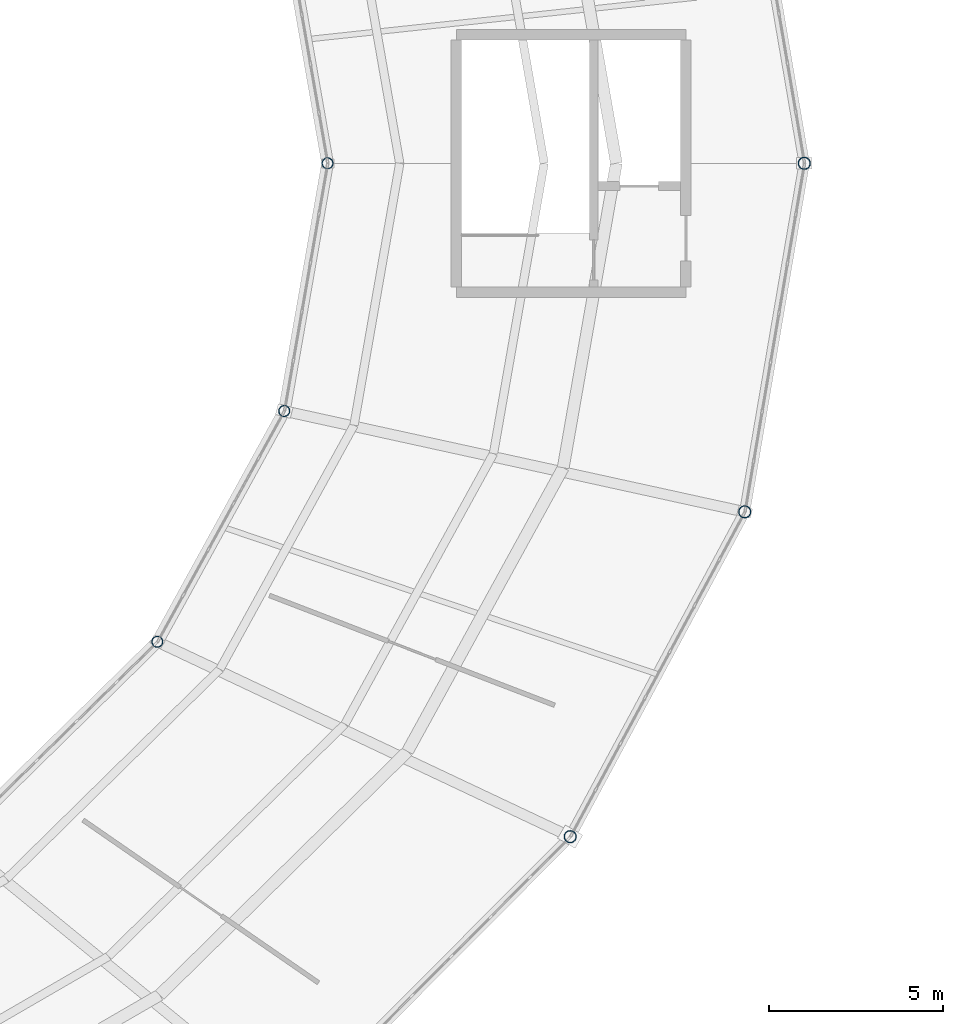
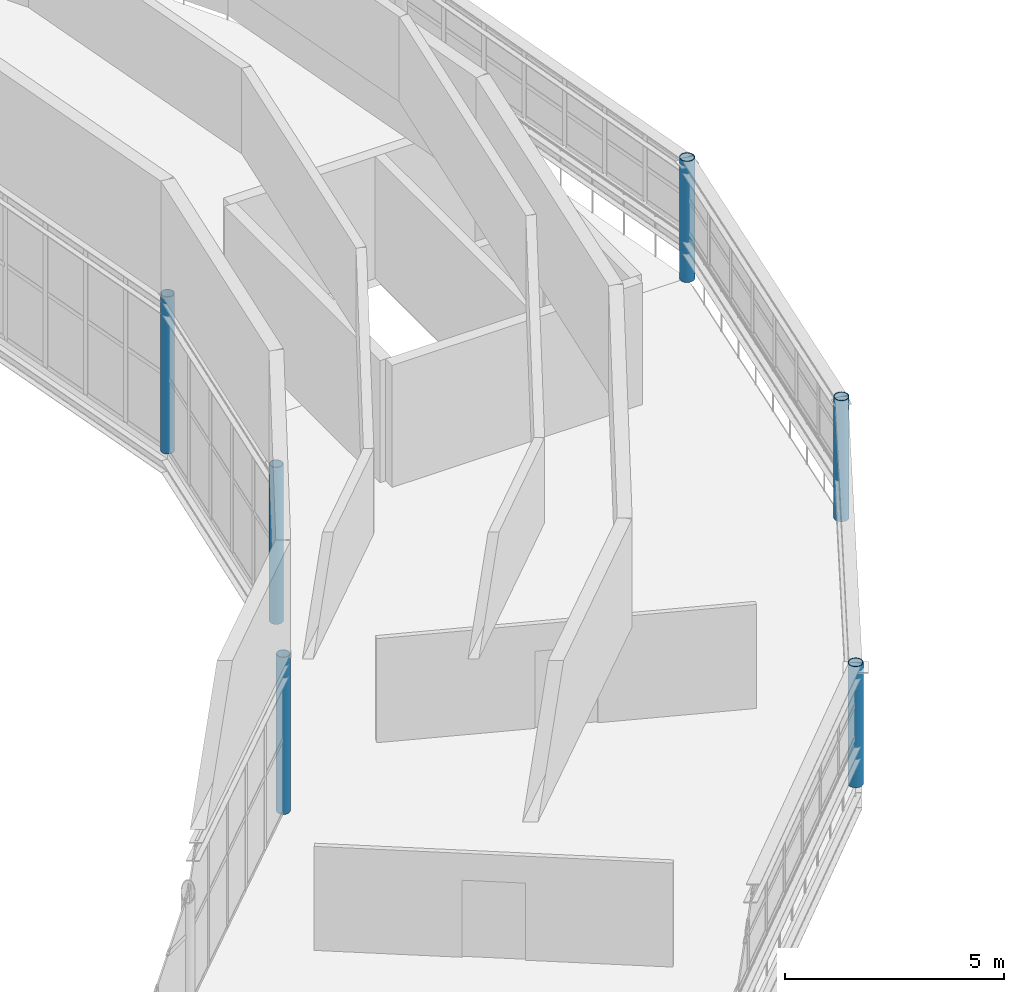
# One storey, part 19 of 123: 6 columns.
"""IFC4 building model written with IfcOpenShell, lengths in metres."""

from ifc_helpers import new_model, si_unit, direction, frame, origin, origin_2d, place, context, subcontext, project, spatial, hollow_circle, extrude, material, material_profile, profile_set, type_object, element, save


model = new_model("IFC4")

# Units and contexts
model_context = context("Model", 3, precision=1e-05, world=origin(), true_north=direction((0.0, 1.0)))
body_context = subcontext(model_context, "Body", "Model", "MODEL_VIEW")
ifc_project = project(units=[si_unit("LENGTHUNIT", "METRE"), si_unit("AREAUNIT", "SQUARE_METRE"), si_unit("VOLUMEUNIT", "CUBIC_METRE"), si_unit("PLANEANGLEUNIT", "RADIAN"), si_unit("MASSUNIT", "GRAM", prefix="KILO")], contexts=[model_context])

# Site, building, storey
site_placement = place(None, origin())
site = spatial("IfcSite", under=ifc_project, at=site_placement, CompositionType="ELEMENT")
building_placement = place(site_placement, origin())
building = spatial("IfcBuilding", under=site, at=building_placement, Name="Kildeholm Park Wholesale Market", CompositionType="ELEMENT")
storey_placement = place(building_placement, frame((0.0, 0.0, 9.60009765625)))
storey = spatial("IfcBuildingStorey", under=building, at=storey_placement, Name="L02", CompositionType="ELEMENT", Elevation=9.60009765625)

# Columns
ifc_material = material(Name="Steel S355", Category="steel")
ifc_material_profile_1 = material_profile(ifc_material, hollow_circle(Radius=0.161865234375, WallThickness=0.01611328125, at=origin_2d()), Name="CHS 323.9x16")
ifc_profile_set_1 = profile_set([ifc_material_profile_1], Name="Steel S355")
column_type_1 = type_object("IfcColumnType", Name="Column C-S09 CHS 323.9x16", PredefinedType="COLUMN", material=ifc_profile_set_1)
for number, where, z_axis, x_axis, name in (
    (1, (135.5, 89.5, 0.0), (0.0, 0.0, 1.0), (1.0, 0.0, 0.0), "Column V1-IN-00 L02 COL-0003"),
    (2, (130.610107421875, 75.75, 0.0), (0.0, 0.0, 1.0), (0.866025403784, -0.5, 0.0), "Column V1-IN-22 L02 COL-0201"),
    (3, (134.256103515625, 82.382080078125, 0.0), (0.0, 0.0, 1.0), (0.965925826289, -0.258819045103, 0.0), "Column V1-IN-23 L02 COL-0210"),
):
    element("IfcColumn", number, at=place(storey_placement, frame(where, z_axis=z_axis, x_axis=x_axis)), inside=storey, type_object=column_type_1, Name=name, PredefinedType="COLUMN", context=body_context, shape_type="SweptSolid", body=[
        extrude(hollow_circle(Radius=0.161865234375, WallThickness=0.01611328125, at=origin_2d()), origin(), (0.0, 0.0, 1.0), 4.3798828125),
    ])
ifc_material_profile_2 = material_profile(ifc_material, hollow_circle(Radius=0.177734375, WallThickness=0.01611328125, at=origin_2d()), Name="CHS 355.6x16")
ifc_profile_set_2 = profile_set([ifc_material_profile_2], Name="Steel S355")
column_type_2 = type_object("IfcColumnType", Name="Column C-S10 CHS 355.6x16", PredefinedType="COLUMN", material=ifc_profile_set_2)
for number, where, z_axis, x_axis, name in (
    (4, (149.199951171875, 89.5, 0.0), (0.0, 0.0, 1.0), (1.0, 0.0, 0.0), "Column V1-MD-00 L02 COL-0006"),
    (5, (142.47412109375, 70.14990234375, 0.0), (0.0, 0.0, 1.0), (0.866025403784, -0.5, 0.0), "Column V1-MD-22 L02 COL-0204"),
    (6, (147.489013671875, 79.48388671875, 0.0), (0.0, 0.0, 1.0), (0.965925826289, -0.258819045103, 0.0), "Column V1-MD-23 L02 COL-0213"),
):
    element("IfcColumn", number, at=place(storey_placement, frame(where, z_axis=z_axis, x_axis=x_axis)), inside=storey, type_object=column_type_2, Name=name, PredefinedType="COLUMN", context=body_context, shape_type="SweptSolid", body=[
        extrude(hollow_circle(Radius=0.177734375, WallThickness=0.01611328125, at=origin_2d()), origin(), (0.0, 0.0, 1.0), 3.3798828125),
    ])

save(model, "model.ifc")
